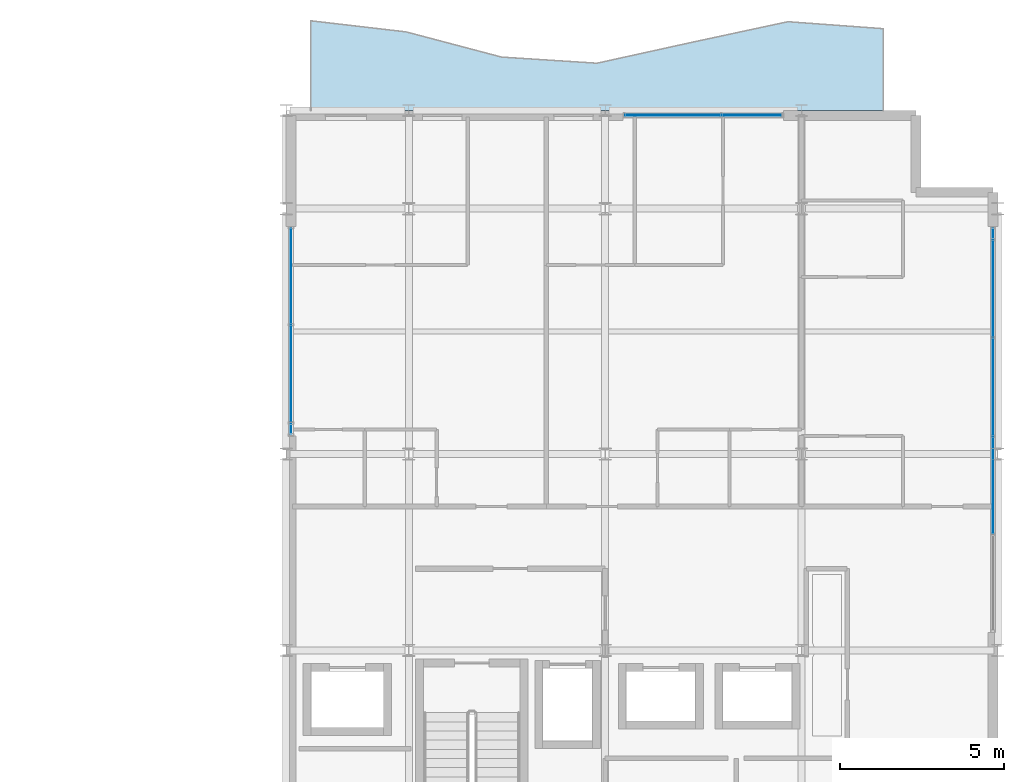
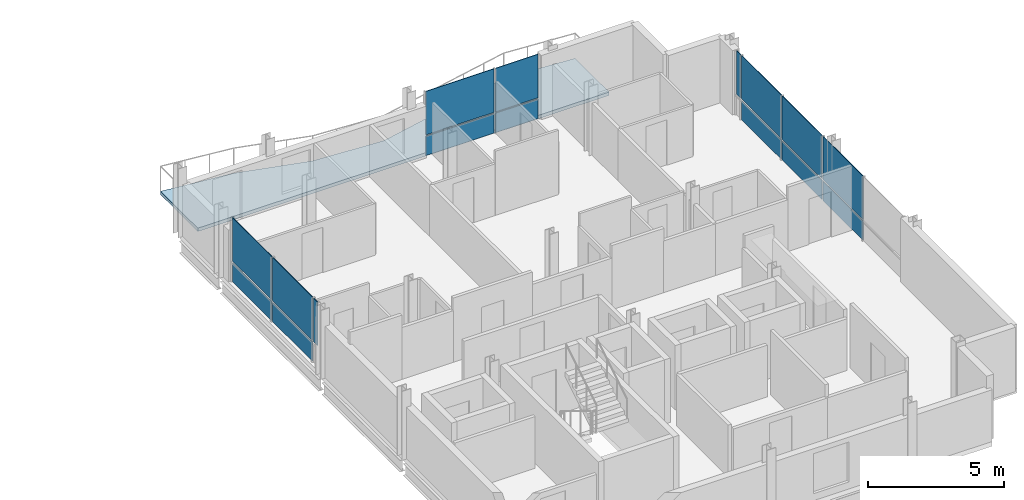
# One storey, part 20 of 29: 16 plates, 1 slab, 3 elements without a shape of their own.
"""IFC4 building model written with IfcOpenShell, lengths in metres."""

from ifc_helpers import new_model, si_unit, direction, frame, origin, origin_2d, place, context, subcontext, project, spatial, polyline, rectangle, outline, extrude, material, layer, layer_set, type_object, element, aggregate, save


model = new_model("IFC4")

# Units and contexts
model_context = context("Model", 3, precision=1e-05, world=origin(), true_north=direction((0.0, 1.0)))
body_context = subcontext(model_context, "Body", "Model", "MODEL_VIEW")
ifc_project = project(units=[si_unit("LENGTHUNIT", "METRE"), si_unit("AREAUNIT", "SQUARE_METRE"), si_unit("VOLUMEUNIT", "CUBIC_METRE"), si_unit("PLANEANGLEUNIT", "RADIAN"), si_unit("MASSUNIT", "GRAM", prefix="KILO")], contexts=[model_context])

# Site, building, storey
site_placement = place(None, origin())
site = spatial("IfcSite", under=ifc_project, at=site_placement, CompositionType="ELEMENT")
building_placement = place(site_placement, origin())
building = spatial("IfcBuilding", under=site, at=building_placement, Name="Brevholm Reach", CompositionType="ELEMENT")
storey_placement = place(building_placement, frame((0.0, 0.0, 201.800048828125)))
storey = spatial("IfcBuildingStorey", under=building, at=storey_placement, Name="L61", CompositionType="ELEMENT", Elevation=201.800048828125)

# Curtain wall, plates
ifc_material_1 = material(Name="Dark Anodised Aluminium 6063-T6 and Solar-Control Glass", Category="aluminium")
ifc_layer_1 = layer(ifc_material_1, 0.1650390625)
ifc_layer_set_1 = layer_set([ifc_layer_1], Name="Dark Anodised Aluminium 6063-T6 and Solar-Control Glass")
curtain_wall_type_1 = type_object("IfcCurtainWallType", Name="CW-04", PredefinedType="NOTDEFINED", material=ifc_layer_set_1)
curtain_wall_1_placement = place(storey_placement, origin())
curtain_wall_1 = element("IfcCurtainWall", 1, at=curtain_wall_1_placement, inside=storey, type_object=curtain_wall_type_1, Name="L61 Curtain Wall CW-04", PredefinedType="NOTDEFINED")
ifc_material_2 = material(Name="Dark Solar-Control Double-Glazed IGU Glass", Category="glass")
ifc_layer_2 = layer(ifc_material_2, 0.028076171875)
ifc_layer_set_2 = layer_set([ifc_layer_2], Name="Dark Solar-Control Double-Glazed IGU Glass")
plate_type = type_object("IfcPlateType", Name="CWP-GLZ-28", PredefinedType="CURTAIN_PANEL", material=ifc_layer_set_2)
plate_1_placement = place(storey_placement, frame((38.39990234375, 21.4326171875, 0.0), z_axis=(0.0, 0.0, 1.0), x_axis=(0.0, -1.0, 0.0)))
plate_1 = element("IfcPlate", 2, at=plate_1_placement, type_object=plate_type, Name="CP-01 Glazing Panel 1.1", PredefinedType="CURTAIN_PANEL", context=body_context, shape_type="SweptSolid", body=[
    extrude(rectangle(XDim=2.89501953125, YDim=0.028076171875, at=origin_2d()), origin(), (0.0, 0.0, 1.0), 0.864990234375),
])
plate_2_placement = place(storey_placement, frame((38.39990234375, 21.4326171875, 0.934814453125), z_axis=(0.0, 0.0, 1.0), x_axis=(0.0, -1.0, 0.0)))
plate_2 = element("IfcPlate", 3, at=plate_2_placement, type_object=plate_type, Name="CP-01 Glazing Panel 1.2", PredefinedType="CURTAIN_PANEL", context=body_context, shape_type="SweptSolid", body=[
    extrude(rectangle(XDim=2.89501953125, YDim=0.028076171875, at=origin_2d()), origin(), (0.0, 0.0, 1.0), 1.955078125),
])
plate_3_placement = place(storey_placement, frame((38.39990234375, 18.449951171875, 0.0), z_axis=(0.0, 0.0, 1.0), x_axis=(0.0, -1.0, 0.0)))
plate_3 = element("IfcPlate", 4, at=plate_3_placement, type_object=plate_type, Name="CP-01 Glazing Panel 2.1", PredefinedType="CURTAIN_PANEL", context=body_context, shape_type="SweptSolid", body=[
    extrude(rectangle(XDim=2.929931640625, YDim=0.028076171875, at=origin_2d()), origin(), (0.0, 0.0, 1.0), 0.864990234375),
])
plate_4_placement = place(storey_placement, frame((38.39990234375, 18.449951171875, 0.934814453125), z_axis=(0.0, 0.0, 1.0), x_axis=(0.0, -1.0, 0.0)))
plate_4 = element("IfcPlate", 5, at=plate_4_placement, type_object=plate_type, Name="CP-01 Glazing Panel 2.2", PredefinedType="CURTAIN_PANEL", context=body_context, shape_type="SweptSolid", body=[
    extrude(rectangle(XDim=2.929931640625, YDim=0.028076171875, at=origin_2d()), origin(), (0.0, 0.0, 1.0), 1.955078125),
])
plate_5_placement = place(storey_placement, frame((38.39990234375, 16.767578125, 0.934814453125), z_axis=(0.0, 0.0, 1.0), x_axis=(0.0, -1.0, 0.0)))
plate_5 = element("IfcPlate", 6, at=plate_5_placement, type_object=plate_type, Name="CP-01 Glazing Panel 3.2", PredefinedType="CURTAIN_PANEL", context=body_context, shape_type="SweptSolid", body=[
    extrude(rectangle(XDim=0.294921875, YDim=0.028076171875, at=origin_2d()), origin(), (0.0, 0.0, 1.0), 1.955078125),
])
aggregate(curtain_wall_1, [plate_1, plate_2, plate_3, plate_4, plate_5])

ifc_material_3 = material(Name="Dark Anodised Aluminium 6063-T6 and Solar-Control Glass", Category="aluminium")
ifc_layer_3 = layer(ifc_material_3, 0.14990234375)
ifc_layer_set_3 = layer_set([ifc_layer_3], Name="Dark Anodised Aluminium 6063-T6 and Solar-Control Glass")
curtain_wall_type_2 = type_object("IfcCurtainWallType", Name="CW-01", PredefinedType="NOTDEFINED", material=ifc_layer_set_3)
curtain_wall_2_placement = place(storey_placement, origin())
curtain_wall_2 = element("IfcCurtainWall", 7, at=curtain_wall_2_placement, inside=storey, type_object=curtain_wall_type_2, Name="L61 Curtain Wall CW-01", PredefinedType="NOTDEFINED")
plate_6_placement = place(storey_placement, frame((59.85009765625, 15.050048828125, 0.0), z_axis=(0.0, 0.0, 1.0), x_axis=(0.0, 1.0, 0.0)))
plate_6 = element("IfcPlate", 8, at=plate_6_placement, type_object=plate_type, Name="CP-01 Glazing Panel 2.1", PredefinedType="CURTAIN_PANEL", context=body_context, shape_type="SweptSolid", body=[
    extrude(rectangle(XDim=2.93505859375, YDim=0.028076171875, at=origin_2d()), origin(), (0.0, 0.0, 1.0), 0.867431640625),
])
plate_7_placement = place(storey_placement, frame((59.85009765625, 15.050048828125, 0.932373046875), z_axis=(0.0, 0.0, 1.0), x_axis=(0.0, 1.0, 0.0)))
plate_7 = element("IfcPlate", 9, at=plate_7_placement, type_object=plate_type, Name="CP-01 Glazing Panel 2.2", PredefinedType="CURTAIN_PANEL", context=body_context, shape_type="SweptSolid", body=[
    extrude(rectangle(XDim=2.93505859375, YDim=0.028076171875, at=origin_2d()), origin(), (0.0, 0.0, 1.0), 1.95751953125),
])
plate_8_placement = place(storey_placement, frame((59.85009765625, 18.050048828125, 0.0), z_axis=(0.0, 0.0, 1.0), x_axis=(0.0, 1.0, 0.0)))
plate_8 = element("IfcPlate", 10, at=plate_8_placement, type_object=plate_type, Name="CP-01 Glazing Panel 3.1", PredefinedType="CURTAIN_PANEL", context=body_context, shape_type="SweptSolid", body=[
    extrude(rectangle(XDim=2.93505859375, YDim=0.028076171875, at=origin_2d()), origin(), (0.0, 0.0, 1.0), 0.867431640625),
])
plate_9_placement = place(storey_placement, frame((59.85009765625, 18.050048828125, 0.932373046875), z_axis=(0.0, 0.0, 1.0), x_axis=(0.0, 1.0, 0.0)))
plate_9 = element("IfcPlate", 11, at=plate_9_placement, type_object=plate_type, Name="CP-01 Glazing Panel 3.2", PredefinedType="CURTAIN_PANEL", context=body_context, shape_type="SweptSolid", body=[
    extrude(rectangle(XDim=2.93505859375, YDim=0.028076171875, at=origin_2d()), origin(), (0.0, 0.0, 1.0), 1.95751953125),
])
plate_10_placement = place(storey_placement, frame((59.85009765625, 21.050048828125, 0.0), z_axis=(0.0, 0.0, 1.0), x_axis=(0.0, 1.0, 0.0)))
plate_10 = element("IfcPlate", 12, at=plate_10_placement, type_object=plate_type, Name="CP-01 Glazing Panel 4.1", PredefinedType="CURTAIN_PANEL", context=body_context, shape_type="SweptSolid", body=[
    extrude(rectangle(XDim=2.93505859375, YDim=0.028076171875, at=origin_2d()), origin(), (0.0, 0.0, 1.0), 0.867431640625),
])
plate_11_placement = place(storey_placement, frame((59.85009765625, 21.050048828125, 0.932373046875), z_axis=(0.0, 0.0, 1.0), x_axis=(0.0, 1.0, 0.0)))
plate_11 = element("IfcPlate", 13, at=plate_11_placement, type_object=plate_type, Name="CP-01 Glazing Panel 4.2", PredefinedType="CURTAIN_PANEL", context=body_context, shape_type="SweptSolid", body=[
    extrude(rectangle(XDim=2.93505859375, YDim=0.028076171875, at=origin_2d()), origin(), (0.0, 0.0, 1.0), 1.95751953125),
])
plate_12_placement = place(storey_placement, frame((59.85009765625, 22.733642578125, 0.932373046875), z_axis=(0.0, 0.0, 1.0), x_axis=(0.0, 1.0, 0.0)))
plate_12 = element("IfcPlate", 14, at=plate_12_placement, type_object=plate_type, Name="CP-01 Glazing Panel 5.2", PredefinedType="CURTAIN_PANEL", context=body_context, shape_type="SweptSolid", body=[
    extrude(rectangle(XDim=0.302490234375, YDim=0.028076171875, at=origin_2d()), origin(), (0.0, 0.0, 1.0), 1.95751953125),
])
aggregate(curtain_wall_2, [plate_6, plate_7, plate_8, plate_9, plate_10, plate_11, plate_12])

curtain_wall_3_placement = place(storey_placement, origin())
curtain_wall_3 = element("IfcCurtainWall", 15, at=curtain_wall_3_placement, inside=storey, type_object=curtain_wall_type_2, Name="L61 Curtain Wall CW-01", PredefinedType="NOTDEFINED")
plate_13_placement = place(storey_placement, frame((50.066162109375, 26.35009765625, 0.0), z_axis=(0.0, 0.0, 1.0), x_axis=(1.0, 0.0, 0.0)))
plate_13 = element("IfcPlate", 16, at=plate_13_placement, type_object=plate_type, Name="CP-01 Glazing Panel 1.1", PredefinedType="CURTAIN_PANEL", context=body_context, shape_type="SweptSolid", body=[
    extrude(rectangle(XDim=2.902587890625, YDim=0.028076171875, at=origin_2d()), origin(), (0.0, 0.0, 1.0), 0.867431640625),
])
plate_14_placement = place(storey_placement, frame((50.066162109375, 26.35009765625, 0.932373046875), z_axis=(0.0, 0.0, 1.0), x_axis=(1.0, 0.0, 0.0)))
plate_14 = element("IfcPlate", 17, at=plate_14_placement, type_object=plate_type, Name="CP-01 Glazing Panel 1.2", PredefinedType="CURTAIN_PANEL", context=body_context, shape_type="SweptSolid", body=[
    extrude(rectangle(XDim=2.902587890625, YDim=0.028076171875, at=origin_2d()), origin(), (0.0, 0.0, 1.0), 1.95751953125),
])
plate_15_placement = place(storey_placement, frame((52.483642578125, 26.35009765625, 0.0), z_axis=(0.0, 0.0, 1.0), x_axis=(1.0, 0.0, 0.0)))
plate_15 = element("IfcPlate", 18, at=plate_15_placement, type_object=plate_type, Name="CP-01 Glazing Panel 2.1", PredefinedType="CURTAIN_PANEL", context=body_context, shape_type="SweptSolid", body=[
    extrude(rectangle(XDim=1.802490234375, YDim=0.028076171875, at=origin_2d()), origin(), (0.0, 0.0, 1.0), 0.867431640625),
])
plate_16_placement = place(storey_placement, frame((52.483642578125, 26.35009765625, 0.932373046875), z_axis=(0.0, 0.0, 1.0), x_axis=(1.0, 0.0, 0.0)))
plate_16 = element("IfcPlate", 19, at=plate_16_placement, type_object=plate_type, Name="CP-01 Glazing Panel 2.2", PredefinedType="CURTAIN_PANEL", context=body_context, shape_type="SweptSolid", body=[
    extrude(rectangle(XDim=1.802490234375, YDim=0.028076171875, at=origin_2d()), origin(), (0.0, 0.0, 1.0), 1.95751953125),
])
aggregate(curtain_wall_3, [plate_13, plate_14, plate_15, plate_16])

# Slab
ifc_material_4 = material(Name="Precast Concrete C45/55", Category="concrete")
ifc_layer_4 = layer(ifc_material_4, 0.14990234375)
ifc_layer_set_4 = layer_set([ifc_layer_4], Name="Precast Concrete C45/55")
slab_type = type_object("IfcSlabType", Name="SLB-BAL-150", PredefinedType="FLOOR", material=ifc_layer_set_4)
slab_placement = place(storey_placement, frame((0.0, 0.0, -0.150146484375)))
element("IfcSlab", 20, at=slab_placement, inside=storey, type_object=slab_type, Name="L61 Rippling External Balcony NE", PredefinedType="FLOOR", context=body_context, shape_type="SweptSolid", body=[
    extrude(outline(polyline([(39.0, 26.5), (56.5, 26.5), (56.5, 28.999755859375), (53.583251953125, 29.213134765625), (50.666748046875, 28.5869140625), (47.75, 27.94482421875), (44.833251953125, 28.132080078125), (41.916748046875, 28.902099609375), (39.0, 29.24169921875), (39.0, 26.5)])), origin(), (0.0, 0.0, 1.0), 0.150146484375),
])

save(model, "model.ifc")
